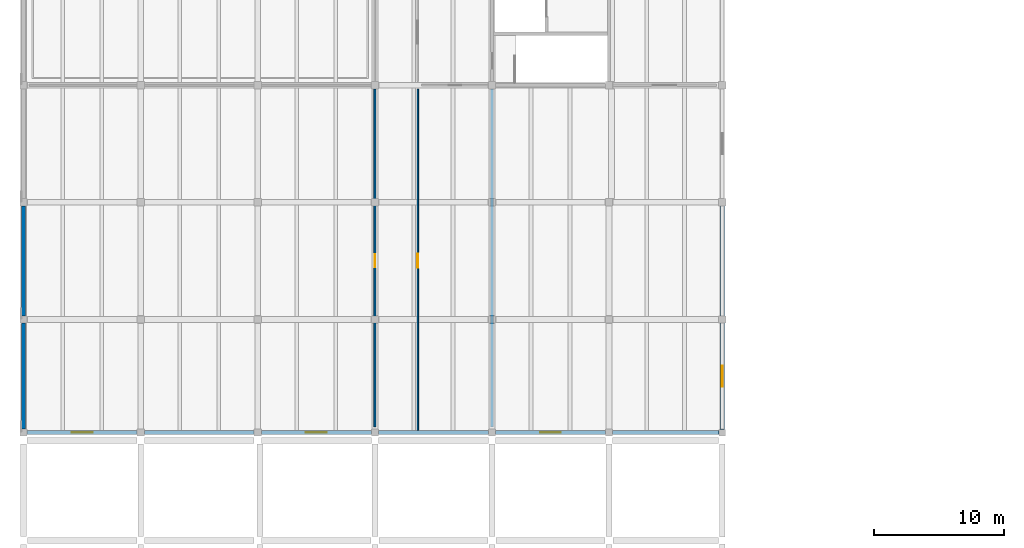
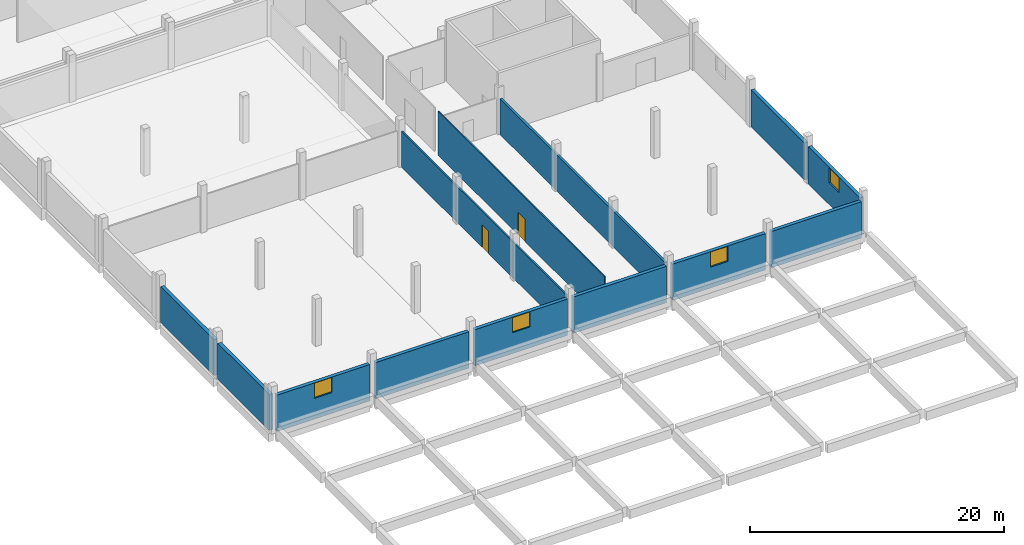
# One storey, part 8 of 25: 13 walls, 4 windows, 2 doors, 6 openings.
"""IFC4 building model written with IfcOpenShell, lengths in metres."""

from ifc_helpers import new_model, si_unit, direction, frame, frame_2d, origin, place, context, subcontext, project, spatial, rectangle, extrude, material, layer, layer_set, type_object, element, fill, save


model = new_model("IFC4")

# Units and contexts
model_context = context("Model", 3, precision=1e-05, world=origin(), true_north=direction((0.0, 1.0)))
body_context = subcontext(model_context, "Body", "Model", "MODEL_VIEW")
ifc_project = project(units=[si_unit("LENGTHUNIT", "METRE"), si_unit("AREAUNIT", "SQUARE_METRE"), si_unit("VOLUMEUNIT", "CUBIC_METRE"), si_unit("PLANEANGLEUNIT", "RADIAN"), si_unit("MASSUNIT", "GRAM", prefix="KILO")], contexts=[model_context])

# Site, building, storey
site_placement = place(None, origin())
site = spatial("IfcSite", under=ifc_project, at=site_placement, CompositionType="ELEMENT")
building_placement = place(site_placement, origin())
building = spatial("IfcBuilding", under=site, at=building_placement, Name="Zacnel Wholesale Market", CompositionType="ELEMENT")
storey_placement = place(building_placement, frame((0.0, 0.0, 15.75)))
storey = spatial("IfcBuildingStorey", under=building, at=storey_placement, Name="L04", CompositionType="ELEMENT", Elevation=15.75)

# Wall
ifc_material_1 = material(Name="PIR insulated cold-store panel")
ifc_layer_1 = layer(ifc_material_1, 0.2099609375)
ifc_layer_set_1 = layer_set([ifc_layer_1], Name="PIR insulated cold-store panel")
wall_type_1 = type_object("IfcWallType", Name="WL-COLD-INT210", PredefinedType="STANDARD", material=ifc_layer_set_1)
wall_1_placement = place(storey_placement, frame((54.0, 48.75, 0.0), z_axis=(0.0, 0.0, 1.0), x_axis=(0.0, 1.0, 0.0)))
element("IfcWall", 1, at=wall_1_placement, inside=storey, type_object=wall_type_1, Name="Interior partition L04-0197", PredefinedType="STANDARD", context=body_context, shape_type="SweptSolid", body=[
    extrude(rectangle(XDim=25.949951171875, YDim=0.2099609375, at=frame_2d((12.97509765625, 0.0))), origin(), (0.0, 0.0, 1.0), 3.449951171875),
])

# Wall, opening, window
ifc_material_2 = material(Name="Precast concrete C40/50 (insulated sandwich panel)", Category="concrete")
ifc_layer_2 = layer(ifc_material_2, 0.320068359375)
ifc_layer_set_2 = layer_set([ifc_layer_2], Name="Precast concrete C40/50 (insulated sandwich panel)")
wall_type_2 = type_object("IfcWallType", Name="WL-EXT-COLD-320", PredefinedType="SOLIDWALL", material=ifc_layer_set_2)
wall_2_placement = place(storey_placement, frame((18.27490234375, 48.300048828125, 0.0), z_axis=(0.0, 0.0, 1.0), x_axis=(1.0, 0.0, 0.0)))
wall_2 = element("IfcWall", 2, at=wall_2_placement, inside=storey, type_object=wall_type_2, Name="Exterior wall L04-0433", PredefinedType="SOLIDWALL", context=body_context, shape_type="SweptSolid", body=[
    extrude(rectangle(XDim=8.4501953125, YDim=0.320068359375, at=frame_2d((4.22509765625, 0.0))), origin(), (0.0, 0.0, 1.0), 3.5),
])
opening_1_placement = place(wall_2_placement, frame((3.425048828125, 0.0, 2.010009765625)))
opening_1 = element("IfcOpeningElement", 3, at=opening_1_placement, cuts=wall_2, Name="Opening W-06", PredefinedType="OPENING", context=body_context, shape_type="SweptSolid", body=[
    extrude(rectangle(XDim=1.60009765625, YDim=1.449951171875, at=frame_2d((0.800048828125, 0.72509765625))), frame((0.0, 0.169921875, 0.0), z_axis=(0.0, -1.0, 0.0), x_axis=(1.0, 0.0, 0.0)), (0.0, 0.0, 1.0), 0.340087890625),
])
ifc_material_3 = material(Name="Laminated hurricane-impact low-E insulated glass", Category="glass")
window_type = type_object("IfcWindowType", Name="WIN-HIG-1600X1450", PartitioningType="DOUBLE_PANEL_HORIZONTAL", PredefinedType="WINDOW", material=ifc_material_3)
window_1_placement = place(opening_1_placement, origin())
window_1 = element("IfcWindow", 4, at=window_1_placement, inside=storey, type_object=window_type, Name="Window L04-0485", OverallHeight=1.449951171875, OverallWidth=1.60009765625, PartitioningType="DOUBLE_PANEL_HORIZONTAL", PredefinedType="WINDOW", context=body_context, shape_type="SweptSolid", body=[
    extrude(rectangle(XDim=1.60009765625, YDim=1.449951171875, at=frame_2d((0.800048828125, 0.72509765625))), frame((0.0, 0.030029296875, 0.0), z_axis=(0.0, -1.0, 0.0), x_axis=(1.0, 0.0, 0.0)), (0.0, 0.0, 1.0), 0.06005859375),
])
fill(opening_1, window_1)

# Wall
wall_3_placement = place(storey_placement, frame((27.27490234375, 48.300048828125, 0.0), z_axis=(0.0, 0.0, 1.0), x_axis=(1.0, 0.0, 0.0)))
element("IfcWall", 5, at=wall_3_placement, inside=storey, type_object=wall_type_2, Name="Exterior wall L04-0434", PredefinedType="SOLIDWALL", context=body_context, shape_type="SweptSolid", body=[
    extrude(rectangle(XDim=8.4501953125, YDim=0.320068359375, at=frame_2d((4.22509765625, 0.0))), origin(), (0.0, 0.0, 1.0), 3.5),
])

# Wall, opening, window
wall_4_placement = place(storey_placement, frame((36.27490234375, 48.300048828125, 0.0), z_axis=(0.0, 0.0, 1.0), x_axis=(1.0, 0.0, 0.0)))
wall_4 = element("IfcWall", 6, at=wall_4_placement, inside=storey, type_object=wall_type_2, Name="Exterior wall L04-0435", PredefinedType="SOLIDWALL", context=body_context, shape_type="SweptSolid", body=[
    extrude(rectangle(XDim=8.4501953125, YDim=0.320068359375, at=frame_2d((4.22509765625, 0.0))), origin(), (0.0, 0.0, 1.0), 3.5),
])
opening_2_placement = place(wall_4_placement, frame((3.425048828125, 0.0, 2.010009765625)))
opening_2 = element("IfcOpeningElement", 7, at=opening_2_placement, cuts=wall_4, Name="Opening W-06", PredefinedType="OPENING", context=body_context, shape_type="SweptSolid", body=[
    extrude(rectangle(XDim=1.60009765625, YDim=1.449951171875, at=frame_2d((0.800048828125, 0.72509765625))), frame((0.0, 0.169921875, 0.0), z_axis=(0.0, -1.0, 0.0), x_axis=(1.0, 0.0, 0.0)), (0.0, 0.0, 1.0), 0.340087890625),
])
window_2_placement = place(opening_2_placement, origin())
window_2 = element("IfcWindow", 8, at=window_2_placement, inside=storey, type_object=window_type, Name="Window L04-0486", OverallHeight=1.449951171875, OverallWidth=1.60009765625, PartitioningType="DOUBLE_PANEL_HORIZONTAL", PredefinedType="WINDOW", context=body_context, shape_type="SweptSolid", body=[
    extrude(rectangle(XDim=1.60009765625, YDim=1.449951171875, at=frame_2d((0.800048828125, 0.72509765625))), frame((0.0, 0.030029296875, 0.0), z_axis=(0.0, -1.0, 0.0), x_axis=(1.0, 0.0, 0.0)), (0.0, 0.0, 1.0), 0.06005859375),
])
fill(opening_2, window_2)

# Wall
wall_5_placement = place(storey_placement, frame((45.27490234375, 48.300048828125, 0.0), z_axis=(0.0, 0.0, 1.0), x_axis=(1.0, 0.0, 0.0)))
element("IfcWall", 9, at=wall_5_placement, inside=storey, type_object=wall_type_2, Name="Exterior wall L04-0436", PredefinedType="SOLIDWALL", context=body_context, shape_type="SweptSolid", body=[
    extrude(rectangle(XDim=8.4501953125, YDim=0.320068359375, at=frame_2d((4.22509765625, 0.0))), origin(), (0.0, 0.0, 1.0), 3.5),
])

# Wall, opening, window
wall_6_placement = place(storey_placement, frame((54.27490234375, 48.300048828125, 0.0), z_axis=(0.0, 0.0, 1.0), x_axis=(1.0, 0.0, 0.0)))
wall_6 = element("IfcWall", 10, at=wall_6_placement, inside=storey, type_object=wall_type_2, Name="Exterior wall L04-0437", PredefinedType="SOLIDWALL", context=body_context, shape_type="SweptSolid", body=[
    extrude(rectangle(XDim=8.4501953125, YDim=0.320068359375, at=frame_2d((4.22509765625, 0.0))), origin(), (0.0, 0.0, 1.0), 3.5),
])
opening_3_placement = place(wall_6_placement, frame((3.425048828125, 0.0, 2.010009765625)))
opening_3 = element("IfcOpeningElement", 11, at=opening_3_placement, cuts=wall_6, Name="Opening W-06", PredefinedType="OPENING", context=body_context, shape_type="SweptSolid", body=[
    extrude(rectangle(XDim=1.60009765625, YDim=1.449951171875, at=frame_2d((0.800048828125, 0.72509765625))), frame((0.0, 0.169921875, 0.0), z_axis=(0.0, -1.0, 0.0), x_axis=(1.0, 0.0, 0.0)), (0.0, 0.0, 1.0), 0.340087890625),
])
window_3_placement = place(opening_3_placement, origin())
window_3 = element("IfcWindow", 12, at=window_3_placement, inside=storey, type_object=window_type, Name="Window L04-0487", OverallHeight=1.449951171875, OverallWidth=1.60009765625, PartitioningType="DOUBLE_PANEL_HORIZONTAL", PredefinedType="WINDOW", context=body_context, shape_type="SweptSolid", body=[
    extrude(rectangle(XDim=1.60009765625, YDim=1.449951171875, at=frame_2d((0.800048828125, 0.72509765625))), frame((0.0, 0.030029296875, 0.0), z_axis=(0.0, -1.0, 0.0), x_axis=(1.0, 0.0, 0.0)), (0.0, 0.0, 1.0), 0.06005859375),
])
fill(opening_3, window_3)

# Walls
wall_7_placement = place(storey_placement, frame((63.27490234375, 48.300048828125, 0.0), z_axis=(0.0, 0.0, 1.0), x_axis=(1.0, 0.0, 0.0)))
element("IfcWall", 13, at=wall_7_placement, inside=storey, type_object=wall_type_2, Name="Exterior wall L04-0438", PredefinedType="SOLIDWALL", context=body_context, shape_type="SweptSolid", body=[
    extrude(rectangle(XDim=8.175048828125, YDim=0.320068359375, at=frame_2d((4.08740234375, 0.0))), origin(), (0.0, 0.0, 1.0), 3.5),
])
wall_8_placement = place(storey_placement, frame((18.0, 48.574951171875, 0.0), z_axis=(0.0, 0.0, 1.0), x_axis=(0.0, 1.0, 0.0)))
element("IfcWall", 14, at=wall_8_placement, inside=storey, type_object=wall_type_2, Name="Exterior wall L04-0445", PredefinedType="SOLIDWALL", context=body_context, shape_type="SweptSolid", body=[
    extrude(rectangle(XDim=8.150146484375, YDim=0.320068359375, at=frame_2d((4.0751953125, 0.0))), origin(), (0.0, 0.0, 1.0), 3.449951171875),
])
wall_9_placement = place(storey_placement, frame((18.0, 57.27490234375, 0.0), z_axis=(0.0, 0.0, 1.0), x_axis=(0.0, 1.0, 0.0)))
element("IfcWall", 15, at=wall_9_placement, inside=storey, type_object=wall_type_2, Name="Exterior wall L04-0446", PredefinedType="SOLIDWALL", context=body_context, shape_type="SweptSolid", body=[
    extrude(rectangle(XDim=8.4501953125, YDim=0.320068359375, at=frame_2d((4.22509765625, 0.0))), origin(), (0.0, 0.0, 1.0), 3.449951171875),
])

# Wall, opening, window
wall_10_placement = place(storey_placement, frame((71.699951171875, 48.550048828125, 0.0), z_axis=(0.0, 0.0, 1.0), x_axis=(0.0, 1.0, 0.0)))
wall_10 = element("IfcWall", 16, at=wall_10_placement, inside=storey, type_object=wall_type_2, Name="Exterior wall L04-0450", PredefinedType="SOLIDWALL", context=body_context, shape_type="SweptSolid", body=[
    extrude(rectangle(XDim=8.175048828125, YDim=0.320068359375, at=frame_2d((4.08740234375, 0.0))), origin(), (0.0, 0.0, 1.0), 3.570068359375),
])
opening_4_placement = place(wall_10_placement, frame((3.2880859375, 0.0, 2.080078125)))
opening_4 = element("IfcOpeningElement", 17, at=opening_4_placement, cuts=wall_10, Name="Opening W-06", PredefinedType="OPENING", context=body_context, shape_type="SweptSolid", body=[
    extrude(rectangle(XDim=1.60009765625, YDim=1.449951171875, at=frame_2d((0.800048828125, 0.72509765625))), frame((0.0, 0.169921875, 0.0), z_axis=(0.0, -1.0, 0.0), x_axis=(1.0, 0.0, 0.0)), (0.0, 0.0, 1.0), 0.340087890625),
])
window_4_placement = place(opening_4_placement, origin())
window_4 = element("IfcWindow", 18, at=window_4_placement, inside=storey, type_object=window_type, Name="Window L04-0488", OverallHeight=1.449951171875, OverallWidth=1.60009765625, PartitioningType="DOUBLE_PANEL_HORIZONTAL", PredefinedType="WINDOW", context=body_context, shape_type="SweptSolid", body=[
    extrude(rectangle(XDim=1.60009765625, YDim=1.449951171875, at=frame_2d((0.800048828125, 0.72509765625))), frame((0.0, 0.030029296875, 0.0), z_axis=(0.0, -1.0, 0.0), x_axis=(1.0, 0.0, 0.0)), (0.0, 0.0, 1.0), 0.06005859375),
])
fill(opening_4, window_4)

# Wall
wall_11_placement = place(storey_placement, frame((71.699951171875, 57.27490234375, 0.0), z_axis=(0.0, 0.0, 1.0), x_axis=(0.0, 1.0, 0.0)))
element("IfcWall", 19, at=wall_11_placement, inside=storey, type_object=wall_type_2, Name="Exterior wall L04-0451", PredefinedType="SOLIDWALL", context=body_context, shape_type="SweptSolid", body=[
    extrude(rectangle(XDim=8.4501953125, YDim=0.320068359375, at=frame_2d((4.22509765625, 0.0))), origin(), (0.0, 0.0, 1.0), 3.570068359375),
])

# Wall, opening, door
ifc_material_4 = material(Name="Moisture-resistant gypsum board partition")
ifc_layer_3 = layer(ifc_material_4, 0.110107421875)
ifc_layer_set_3 = layer_set([ifc_layer_3], Name="Moisture-resistant gypsum board partition")
wall_type_3 = type_object("IfcWallType", Name="WL-PART-GYP110", PredefinedType="PARTITIONING", material=ifc_layer_set_3)
wall_12_placement = place(storey_placement, frame((48.300048828125, 48.43994140625, 0.0), z_axis=(0.0, 0.0, 1.0), x_axis=(0.0, 1.0, 0.0)))
wall_12 = element("IfcWall", 20, at=wall_12_placement, inside=storey, type_object=wall_type_3, Name="Interior partition L04-0191", PredefinedType="PARTITIONING", context=body_context, shape_type="SweptSolid", body=[
    extrude(rectangle(XDim=26.260009765625, YDim=0.110107421875, at=frame_2d((13.1298828125, 0.0))), origin(), (0.0, 0.0, 1.0), 4.22998046875),
])
opening_5_placement = place(wall_12_placement, frame((12.52001953125, 0.0, 0.0)))
opening_5 = element("IfcOpeningElement", 21, at=opening_5_placement, cuts=wall_12, Name="Opening ID-10", PredefinedType="OPENING", context=body_context, shape_type="SweptSolid", body=[
    extrude(rectangle(XDim=1.080078125, YDim=2.14990234375, at=frame_2d((0.5400390625, 1.074951171875))), frame((0.0, 0.06494140625, 0.0), z_axis=(0.0, -1.0, 0.0), x_axis=(1.0, 0.0, 0.0)), (0.0, 0.0, 1.0), 0.130126953125),
])
ifc_material_5 = material(Name="Galvanized steel", Category="steel")
door_type_1 = type_object("IfcDoorType", Name="DR-STR-SGL-1080", OperationType="NOTDEFINED", PredefinedType="DOOR", material=ifc_material_5)
door_1_placement = place(opening_5_placement, origin())
door_1 = element("IfcDoor", 22, at=door_1_placement, inside=storey, type_object=door_type_1, Name="Interior door L04-0148", OperationType="SINGLE_SWING_LEFT", OverallHeight=2.14990234375, OverallWidth=1.080078125, PredefinedType="DOOR", context=body_context, shape_type="SweptSolid", body=[
    extrude(rectangle(XDim=1.080078125, YDim=2.14990234375, at=frame_2d((0.5400390625, 1.074951171875))), frame((0.0, 0.02490234375, 0.0), z_axis=(0.0, -1.0, 0.0), x_axis=(1.0, 0.0, 0.0)), (0.0, 0.0, 1.0), 0.050048828125),
])
fill(opening_5, door_1)

ifc_material_6 = material(Name="Moisture-resistant gypsum board partition")
ifc_layer_4 = layer(ifc_material_6, 0.139892578125)
ifc_layer_set_4 = layer_set([ifc_layer_4], Name="Moisture-resistant gypsum board partition")
wall_type_4 = type_object("IfcWallType", Name="WL-PART-GYP140", PredefinedType="PARTITIONING", material=ifc_layer_set_4)
wall_13_placement = place(storey_placement, frame((45.0, 48.75, 0.0), z_axis=(0.0, 0.0, 1.0), x_axis=(0.0, 1.0, 0.0)))
wall_13 = element("IfcWall", 23, at=wall_13_placement, inside=storey, type_object=wall_type_4, Name="Interior partition L04-0193", PredefinedType="PARTITIONING", context=body_context, shape_type="SweptSolid", body=[
    extrude(rectangle(XDim=25.949951171875, YDim=0.139892578125, at=frame_2d((12.97509765625, 0.0))), origin(), (0.0, 0.0, 1.0), 3.449951171875),
])
opening_6_placement = place(wall_13_placement, frame((12.239990234375, 0.0, 0.0)))
opening_6 = element("IfcOpeningElement", 24, at=opening_6_placement, cuts=wall_13, Name="Opening ID-12", PredefinedType="OPENING", context=body_context, shape_type="SweptSolid", body=[
    extrude(rectangle(XDim=1.02001953125, YDim=2.179931640625, at=frame_2d((0.510009765625, 1.08984375))), frame((0.0, 0.079833984375, 0.0), z_axis=(0.0, -1.0, 0.0), x_axis=(1.0, 0.0, 0.0)), (0.0, 0.0, 1.0), 0.159912109375),
])
ifc_material_7 = material(Name="Solid-core tropical hardwood door", Category="wood")
door_type_2 = type_object("IfcDoorType", Name="DR-OFF-SGL-1020", OperationType="NOTDEFINED", PredefinedType="DOOR", material=ifc_material_7)
door_2_placement = place(opening_6_placement, origin())
door_2 = element("IfcDoor", 25, at=door_2_placement, inside=storey, type_object=door_type_2, Name="Interior door L04-0150", OperationType="SINGLE_SWING_LEFT", OverallHeight=2.179931640625, OverallWidth=1.02001953125, PredefinedType="DOOR", context=body_context, shape_type="SweptSolid", body=[
    extrude(rectangle(XDim=1.02001953125, YDim=2.179931640625, at=frame_2d((0.510009765625, 1.08984375))), frame((0.0, 0.02490234375, 0.0), z_axis=(0.0, -1.0, 0.0), x_axis=(1.0, 0.0, 0.0)), (0.0, 0.0, 1.0), 0.050048828125),
])
fill(opening_6, door_2)

save(model, "model.ifc")
